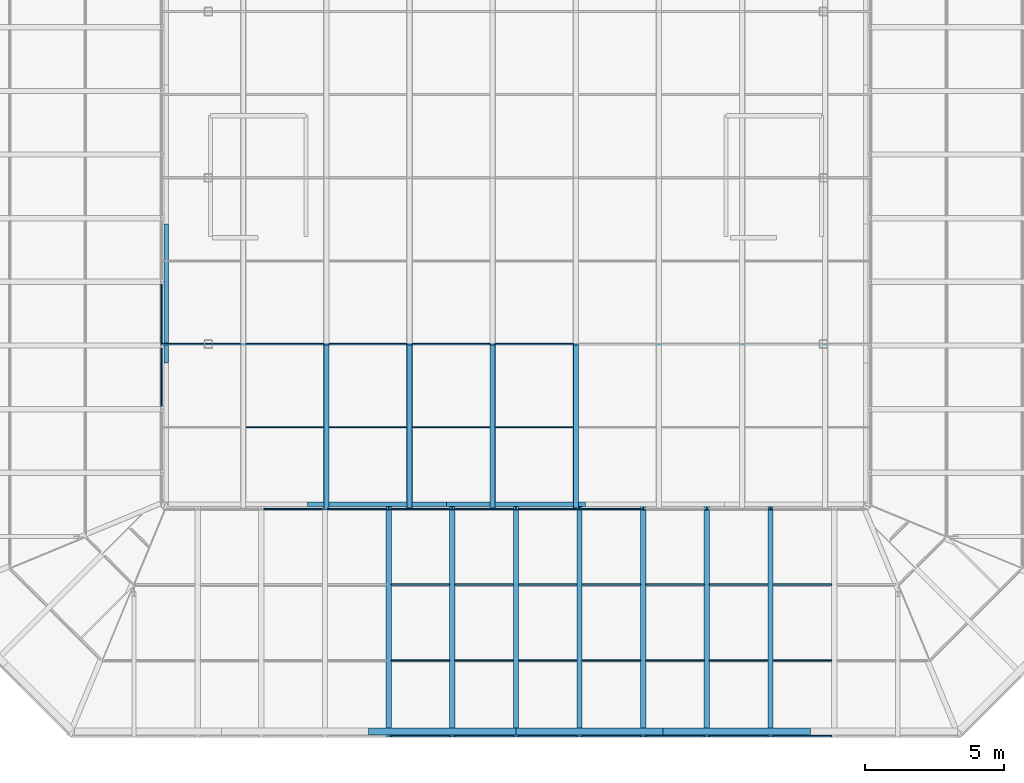
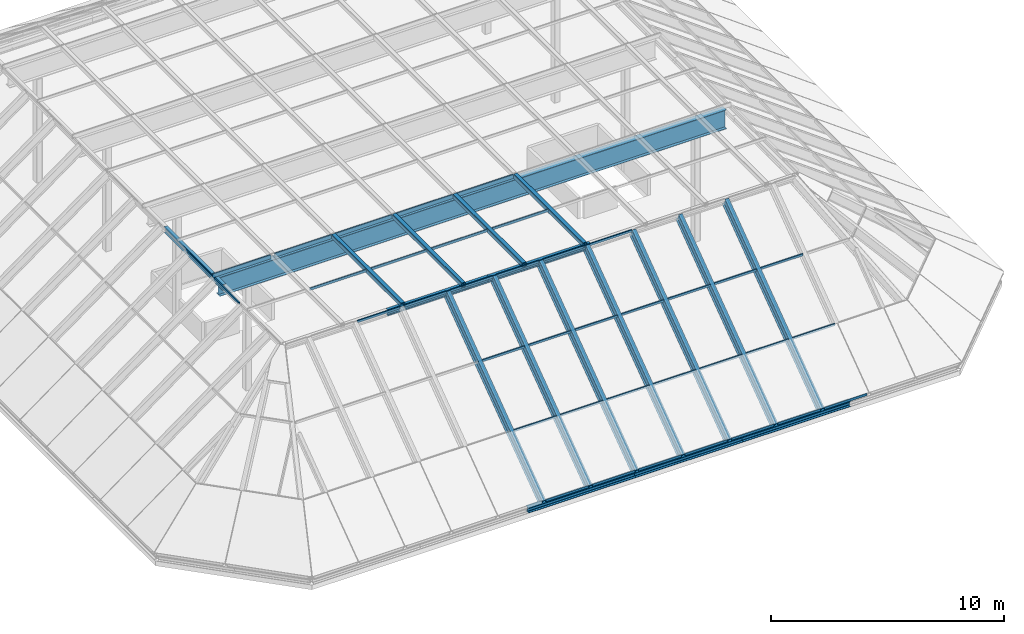
# One storey, part 3 of 15: 60 members, 3 elements without a shape of their own.
"""IFC4 building model written with IfcOpenShell, lengths in metres."""

from ifc_helpers import new_model, si_unit, direction, frame, origin, origin_2d, place, context, subcontext, project, spatial, rectangle, hollow_rectangle, i_section, extrude, material, constituent, constituent_set, material_profile, profile_set, type_object, element, aggregate, save


model = new_model("IFC4")

# Units and contexts
model_context = context("Model", 3, precision=1e-05, world=origin(), true_north=direction((0.0, 1.0)))
body_context = subcontext(model_context, "Body", "Model", "MODEL_VIEW")
ifc_project = project(units=[si_unit("LENGTHUNIT", "METRE"), si_unit("AREAUNIT", "SQUARE_METRE"), si_unit("VOLUMEUNIT", "CUBIC_METRE"), si_unit("PLANEANGLEUNIT", "RADIAN"), si_unit("MASSUNIT", "GRAM", prefix="KILO")], contexts=[model_context])

# Site, building, storey
site_placement = place(None, origin())
site = spatial("IfcSite", under=ifc_project, at=site_placement, CompositionType="ELEMENT")
building_placement = place(site_placement, origin())
building = spatial("IfcBuilding", under=site, at=building_placement, Name="Quoin Convention Tower", CompositionType="ELEMENT")
storey_placement = place(building_placement, frame((0.0, 0.0, 273.699951171875)))
storey = spatial("IfcBuildingStorey", under=building, at=storey_placement, Name="Roof", CompositionType="ELEMENT", Elevation=273.699951171875)

# Member
ifc_material_1 = material(Name="Steel Grade 300", Category="steel")
ifc_material_profile_1 = material_profile(ifc_material_1, i_section(OverallWidth=0.300048828125, OverallDepth=1.0, WebThickness=0.01611328125, FlangeThickness=0.02001953125, at=origin_2d()), Name="1000WB215")
ifc_profile_set_1 = profile_set([ifc_material_profile_1], Name="Steel Grade 300")
member_type_1 = type_object("IfcMemberType", Name="1000WB215 CAP GIRDER", PredefinedType="STRINGER", material=ifc_profile_set_1)
member_1_placement = place(storey_placement, frame((43.7099609375, 53.909912109375, 5.8955078125), z_axis=(1.0, 0.0, 0.0), x_axis=(0.0, 1.0, 0.0)))
element("IfcMember", 1, at=member_1_placement, inside=storey, type_object=member_type_1, Name="LANTERN CAP GIRDER", PredefinedType="STRINGER", context=body_context, shape_type="SweptSolid", body=[
    extrude(i_section(OverallWidth=0.300048828125, OverallDepth=1.0, WebThickness=0.01611328125, FlangeThickness=0.02001953125, at=origin_2d()), origin(), (0.0, 0.0, 1.0), 25.080078125),
])

# Curtain wall, members
ifc_material_2 = material(Name="Aluminium", Category="aluminium")
ifc_constituent_1 = constituent(ifc_material_2, Name="Frame")
ifc_material_3 = material(Name="Insulated glass", Category="glass")
ifc_constituent_2 = constituent(ifc_material_3, Name="Glazing")
ifc_constituent_set = constituent_set(constituents=[ifc_constituent_1, ifc_constituent_2], Name="Aluminium")
curtain_wall_type = type_object("IfcCurtainWallType", Name="Lantern roof system", PredefinedType="NOTDEFINED", material=ifc_constituent_set)
curtain_wall_1_placement = place(storey_placement, origin())
curtain_wall_1 = element("IfcCurtainWall", 2, at=curtain_wall_1_placement, inside=storey, type_object=curtain_wall_type, Name="crn-LNR-CAP", PredefinedType="NOTDEFINED")
ifc_material_4 = material(Name="Steel C450L0", Category="steel")
ifc_material_profile_2 = material_profile(ifc_material_4, hollow_rectangle(XDim=0.199951171875, YDim=0.199951171875, WallThickness=0.010009765625, InnerFilletRadius=0.014892578125, OuterFilletRadius=0.02490234375, at=origin_2d()), Name="200x200x10.0SHS")
ifc_profile_set_2 = profile_set([ifc_material_profile_2], Name="Steel C450L0")
member_type_2 = type_object("IfcMemberType", Name="200x200x10.0SHS LANTERN CAP RAIL", PredefinedType="MULLION", material=ifc_profile_set_2)
member_2_placement = place(storey_placement, frame((49.409912109375, 47.926513671875, 6.495361328125), z_axis=(0.0, 1.0, 0.0), x_axis=(-1.0, 0.0, 0.0)))
member_2 = element("IfcMember", 3, at=member_2_placement, type_object=member_type_2, Name="CW6 cap rail", PredefinedType="MULLION", context=body_context, shape_type="SweptSolid", body=[
    extrude(hollow_rectangle(XDim=0.199951171875, YDim=0.199951171875, WallThickness=0.010009765625, InnerFilletRadius=0.014892578125, OuterFilletRadius=0.02490234375, at=origin_2d()), origin(), (0.0, 0.0, 1.0), 5.953369140625),
])
member_3_placement = place(storey_placement, frame((52.409912109375, 47.926513671875, 6.495361328125), z_axis=(0.0, 1.0, 0.0), x_axis=(-1.0, 0.0, 0.0)))
member_3 = element("IfcMember", 4, at=member_3_placement, type_object=member_type_2, Name="CW6 cap rail", PredefinedType="MULLION", context=body_context, shape_type="SweptSolid", body=[
    extrude(hollow_rectangle(XDim=0.199951171875, YDim=0.199951171875, WallThickness=0.010009765625, InnerFilletRadius=0.014892578125, OuterFilletRadius=0.02490234375, at=origin_2d()), origin(), (0.0, 0.0, 1.0), 5.953369140625),
])
member_4_placement = place(storey_placement, frame((55.409912109375, 47.926513671875, 6.495361328125), z_axis=(0.0, 1.0, 0.0), x_axis=(-1.0, 0.0, 0.0)))
member_4 = element("IfcMember", 5, at=member_4_placement, type_object=member_type_2, Name="CW6 cap rail", PredefinedType="MULLION", context=body_context, shape_type="SweptSolid", body=[
    extrude(hollow_rectangle(XDim=0.199951171875, YDim=0.199951171875, WallThickness=0.010009765625, InnerFilletRadius=0.014892578125, OuterFilletRadius=0.02490234375, at=origin_2d()), origin(), (0.0, 0.0, 1.0), 5.953369140625),
])
member_5_placement = place(storey_placement, frame((58.409912109375, 47.926513671875, 6.495361328125), z_axis=(0.0, 1.0, 0.0), x_axis=(-1.0, 0.0, 0.0)))
member_5 = element("IfcMember", 6, at=member_5_placement, type_object=member_type_2, Name="CW6 cap rail", PredefinedType="MULLION", context=body_context, shape_type="SweptSolid", body=[
    extrude(hollow_rectangle(XDim=0.199951171875, YDim=0.199951171875, WallThickness=0.010009765625, InnerFilletRadius=0.014892578125, OuterFilletRadius=0.02490234375, at=origin_2d()), origin(), (0.0, 0.0, 1.0), 5.953369140625),
])

# Members
ifc_material_profile_3 = material_profile(ifc_material_1, i_section(OverallWidth=0.256103515625, OverallDepth=0.260009765625, WebThickness=0.010498046875, FlangeThickness=0.017333984375, FilletRadius=0.013916015625, at=origin_2d()), Name="250UC89.5")
ifc_profile_set_3 = profile_set([ifc_material_profile_3], Name="Steel Grade 300")
member_type_3 = type_object("IfcMemberType", Name="250UC89.5 EAVES RING", PredefinedType="CHORD", material=ifc_profile_set_3)
for number, where, z_axis, x_axis, name in (
    (7, (50.938720703125, 39.927978515625, 0.130126953125), (1.0, 0.0, 0.0), (0.0, 1.0, 0.0), "LANTERN EAVES RING"),
    (8, (56.25, 39.927978515625, 0.130126953125), (1.0, 0.0, 0.0), (0.0, 1.0, 0.0), "LANTERN EAVES RING"),
    (9, (61.561279296875, 39.927978515625, 0.130126953125), (1.0, 0.0, 0.0), (0.0, 1.0, 0.0), "LANTERN EAVES RING"),
):
    element("IfcMember", number, at=place(storey_placement, frame(where, z_axis=z_axis, x_axis=x_axis)), inside=storey, type_object=member_type_3, Name=name, PredefinedType="CHORD", context=body_context, shape_type="SweptSolid", body=[
        extrude(i_section(OverallWidth=0.256103515625, OverallDepth=0.260009765625, WebThickness=0.010498046875, FlangeThickness=0.017333984375, FilletRadius=0.013916015625, at=origin_2d()), origin(), (0.0, 0.0, 1.0), 5.311279296875),
    ])
ifc_material_profile_4 = material_profile(ifc_material_1, i_section(OverallWidth=0.166015625, OverallDepth=0.306884765625, WebThickness=0.006591796875, FlangeThickness=0.01171875, FilletRadius=0.011474609375, at=origin_2d()), Name="310UB46.2")
ifc_profile_set_4 = profile_set([ifc_material_profile_4], Name="Steel Grade 300")
member_type_4 = type_object("IfcMemberType", Name="310UB46.2 COMPRESSION RING", PredefinedType="CHORD", material=ifc_profile_set_4)
for number, where, z_axis, x_axis, name in (
    (10, (43.626953125, 58.241943359375, 6.241943359375), (0.0, -1.0, 0.0), (1.0, 0.0, 0.0), "LANTERN COMPRESSION RING"),
    (11, (48.72607421875, 48.126953125, 6.241943359375), (1.0, 0.0, 0.0), (0.0, 1.0, 0.0), "LANTERN COMPRESSION RING"),
):
    element("IfcMember", number, at=place(storey_placement, frame(where, z_axis=z_axis, x_axis=x_axis)), inside=storey, type_object=member_type_4, Name=name, PredefinedType="CHORD", context=body_context, shape_type="SweptSolid", body=[
        extrude(i_section(OverallWidth=0.166015625, OverallDepth=0.306884765625, WebThickness=0.006591796875, FlangeThickness=0.01171875, FilletRadius=0.011474609375, at=origin_2d()), origin(), (0.0, 0.0, 1.0), 5.015869140625),
    ])
member_6_placement = place(storey_placement, frame((53.741943359375, 48.126953125, 6.241943359375), z_axis=(1.0, 0.0, 0.0), x_axis=(0.0, 1.0, 0.0)))
element("IfcMember", 12, at=member_6_placement, inside=storey, type_object=member_type_4, Name="LANTERN COMPRESSION RING", PredefinedType="CHORD", context=body_context, shape_type="SweptSolid", body=[
    extrude(i_section(OverallWidth=0.166015625, OverallDepth=0.306884765625, WebThickness=0.006591796875, FlangeThickness=0.01171875, FilletRadius=0.011474609375, at=origin_2d()), origin(), (0.0, 0.0, 1.0), 5.01611328125),
])

# Curtain wall, members
curtain_wall_2_placement = place(storey_placement, origin())
curtain_wall_2 = element("IfcCurtainWall", 13, at=curtain_wall_2_placement, inside=storey, type_object=curtain_wall_type, Name="crn-LNR-F40173_39710", PredefinedType="NOTDEFINED")
ifc_material_profile_5 = material_profile(ifc_material_1, i_section(OverallWidth=0.18994140625, OverallDepth=0.4541015625, WebThickness=0.008544921875, FlangeThickness=0.0126953125, FilletRadius=0.011474609375, at=origin_2d()), Name="460UB67.1")
ifc_profile_set_5 = profile_set([ifc_material_profile_5], Name="Steel Grade 300")
member_type_5 = type_object("IfcMemberType", Name="460UB67.1 LANTERN RAFTER", PredefinedType="MULLION", material=ifc_profile_set_5)
member_7_placement = place(storey_placement, frame((51.656494140625, 39.860595703125, 0.26953125), z_axis=(0.0, 0.807028649932, 0.590512284537), x_axis=(-1.0, 0.0, 0.0)))
member_7 = element("IfcMember", 14, at=member_7_placement, type_object=member_type_5, Name="CW6 steel rafter", PredefinedType="MULLION", context=body_context, shape_type="SweptSolid", body=[
    extrude(i_section(OverallWidth=0.18994140625, OverallDepth=0.4541015625, WebThickness=0.008544921875, FlangeThickness=0.0126953125, FilletRadius=0.011474609375, at=origin_2d()), origin(), (0.0, 0.0, 1.0), 10.16064453125),
])
member_8_placement = place(storey_placement, frame((53.953369140625, 39.860595703125, 0.26953125), z_axis=(0.0, 0.807028649932, 0.590512284537), x_axis=(-1.0, 0.0, 0.0)))
member_8 = element("IfcMember", 15, at=member_8_placement, type_object=member_type_5, Name="CW6 steel rafter", PredefinedType="MULLION", context=body_context, shape_type="SweptSolid", body=[
    extrude(i_section(OverallWidth=0.18994140625, OverallDepth=0.4541015625, WebThickness=0.008544921875, FlangeThickness=0.0126953125, FilletRadius=0.011474609375, at=origin_2d()), origin(), (0.0, 0.0, 1.0), 10.16064453125),
])
member_9_placement = place(storey_placement, frame((56.25, 39.860595703125, 0.26953125), z_axis=(0.0, 0.807028649932, 0.590512284537), x_axis=(-1.0, 0.0, 0.0)))
member_9 = element("IfcMember", 16, at=member_9_placement, type_object=member_type_5, Name="CW6 steel rafter", PredefinedType="MULLION", context=body_context, shape_type="SweptSolid", body=[
    extrude(i_section(OverallWidth=0.18994140625, OverallDepth=0.4541015625, WebThickness=0.008544921875, FlangeThickness=0.0126953125, FilletRadius=0.011474609375, at=origin_2d()), origin(), (0.0, 0.0, 1.0), 10.16064453125),
])
member_10_placement = place(storey_placement, frame((58.546630859375, 39.860595703125, 0.26953125), z_axis=(0.0, 0.807028649932, 0.590512284537), x_axis=(-1.0, 0.0, 0.0)))
member_10 = element("IfcMember", 17, at=member_10_placement, type_object=member_type_5, Name="CW6 steel rafter", PredefinedType="MULLION", context=body_context, shape_type="SweptSolid", body=[
    extrude(i_section(OverallWidth=0.18994140625, OverallDepth=0.4541015625, WebThickness=0.008544921875, FlangeThickness=0.0126953125, FilletRadius=0.011474609375, at=origin_2d()), origin(), (0.0, 0.0, 1.0), 10.16064453125),
])
member_11_placement = place(storey_placement, frame((60.843505859375, 39.860595703125, 0.26953125), z_axis=(0.0, 0.807028649932, 0.590512284537), x_axis=(-1.0, 0.0, 0.0)))
member_11 = element("IfcMember", 18, at=member_11_placement, type_object=member_type_5, Name="CW6 steel rafter", PredefinedType="MULLION", context=body_context, shape_type="SweptSolid", body=[
    extrude(i_section(OverallWidth=0.18994140625, OverallDepth=0.4541015625, WebThickness=0.008544921875, FlangeThickness=0.0126953125, FilletRadius=0.011474609375, at=origin_2d()), origin(), (0.0, 0.0, 1.0), 10.16064453125),
])
member_12_placement = place(storey_placement, frame((63.14013671875, 39.860595703125, 0.26953125), z_axis=(0.0, 0.807028649932, 0.590512284537), x_axis=(-1.0, 0.0, 0.0)))
member_12 = element("IfcMember", 19, at=member_12_placement, type_object=member_type_5, Name="CW6 steel rafter", PredefinedType="MULLION", context=body_context, shape_type="SweptSolid", body=[
    extrude(i_section(OverallWidth=0.18994140625, OverallDepth=0.4541015625, WebThickness=0.008544921875, FlangeThickness=0.0126953125, FilletRadius=0.011474609375, at=origin_2d()), origin(), (0.0, 0.0, 1.0), 10.16064453125),
])
member_13_placement = place(storey_placement, frame((65.43701171875, 39.860595703125, 0.26953125), z_axis=(0.0, 0.807028649932, 0.590512284537), x_axis=(-1.0, 0.0, 0.0)))
member_13 = element("IfcMember", 20, at=member_13_placement, type_object=member_type_5, Name="CW6 steel rafter", PredefinedType="MULLION", context=body_context, shape_type="SweptSolid", body=[
    extrude(i_section(OverallWidth=0.18994140625, OverallDepth=0.4541015625, WebThickness=0.008544921875, FlangeThickness=0.0126953125, FilletRadius=0.011474609375, at=origin_2d()), origin(), (0.0, 0.0, 1.0), 10.16064453125),
])

# Member
ifc_material_profile_6 = material_profile(ifc_material_2, rectangle(XDim=0.028076171875, YDim=0.179931640625, at=origin_2d()), Name="Lantern roof cap cover bar 180x28")
ifc_profile_set_6 = profile_set([ifc_material_profile_6], Name="Aluminium")
member_type_6 = type_object("IfcMemberType", Name="Lantern roof cap cover bar 180x28", PredefinedType="USERDEFINED", material=ifc_profile_set_6)
member_14_placement = place(storey_placement, frame((49.409912109375, 47.926513671875, 6.609375), z_axis=(0.0, 1.0, 0.0), x_axis=(0.0, 0.0, 1.0)))
member_14 = element("IfcMember", 21, at=member_14_placement, type_object=member_type_6, Name="CW6 cap cover bar", ObjectType="CAP COVER", PredefinedType="USERDEFINED", context=body_context, shape_type="SweptSolid", body=[
    extrude(rectangle(XDim=0.028076171875, YDim=0.179931640625, at=origin_2d()), origin(), (0.0, 0.0, 1.0), 5.953369140625),
])

member_15_placement = place(storey_placement, frame((52.409912109375, 47.926513671875, 6.609375), z_axis=(0.0, 1.0, 0.0), x_axis=(0.0, 0.0, 1.0)))
member_15 = element("IfcMember", 22, at=member_15_placement, type_object=member_type_6, Name="CW6 cap cover bar", ObjectType="CAP COVER", PredefinedType="USERDEFINED", context=body_context, shape_type="SweptSolid", body=[
    extrude(rectangle(XDim=0.028076171875, YDim=0.179931640625, at=origin_2d()), origin(), (0.0, 0.0, 1.0), 5.953369140625),
])

member_16_placement = place(storey_placement, frame((55.409912109375, 47.926513671875, 6.609375), z_axis=(0.0, 1.0, 0.0), x_axis=(0.0, 0.0, 1.0)))
member_16 = element("IfcMember", 23, at=member_16_placement, type_object=member_type_6, Name="CW6 cap cover bar", ObjectType="CAP COVER", PredefinedType="USERDEFINED", context=body_context, shape_type="SweptSolid", body=[
    extrude(rectangle(XDim=0.028076171875, YDim=0.179931640625, at=origin_2d()), origin(), (0.0, 0.0, 1.0), 5.953369140625),
])

member_17_placement = place(storey_placement, frame((58.409912109375, 47.926513671875, 6.609375), z_axis=(0.0, 1.0, 0.0), x_axis=(0.0, 0.0, 1.0)))
member_17 = element("IfcMember", 24, at=member_17_placement, type_object=member_type_6, Name="CW6 cap cover bar", ObjectType="CAP COVER", PredefinedType="USERDEFINED", context=body_context, shape_type="SweptSolid", body=[
    extrude(rectangle(XDim=0.028076171875, YDim=0.179931640625, at=origin_2d()), origin(), (0.0, 0.0, 1.0), 5.953369140625),
])

ifc_material_profile_7 = material_profile(ifc_material_2, rectangle(XDim=0.199951171875, YDim=0.06005859375, at=origin_2d()), Name="Lantern roof mullion 60x200")
ifc_profile_set_7 = profile_set([ifc_material_profile_7], Name="Aluminium")
member_type_7 = type_object("IfcMemberType", Name="Lantern roof mullion 60x200", PredefinedType="MULLION", material=ifc_profile_set_7)
member_18_placement = place(storey_placement, frame((43.426513671875, 53.909912109375, 6.495361328125), z_axis=(1.0, 0.0, 0.0), x_axis=(0.0, 0.0, 1.0)))
member_18 = element("IfcMember", 25, at=member_18_placement, type_object=member_type_7, Name="CW6 cap beam", PredefinedType="MULLION", context=body_context, shape_type="SweptSolid", body=[
    extrude(rectangle(XDim=0.199951171875, YDim=0.06005859375, at=origin_2d()), origin(), (0.0, 0.0, 1.0), 2.883544921875),
])

member_19_placement = place(storey_placement, frame((46.510009765625, 53.909912109375, 6.495361328125), z_axis=(1.0, 0.0, 0.0), x_axis=(0.0, 0.0, 1.0)))
member_19 = element("IfcMember", 26, at=member_19_placement, type_object=member_type_7, Name="CW6 cap beam", PredefinedType="MULLION", context=body_context, shape_type="SweptSolid", body=[
    extrude(rectangle(XDim=0.199951171875, YDim=0.06005859375, at=origin_2d()), origin(), (0.0, 0.0, 1.0), 2.800048828125),
])

member_20_placement = place(storey_placement, frame((49.510009765625, 53.909912109375, 6.495361328125), z_axis=(1.0, 0.0, 0.0), x_axis=(0.0, 0.0, 1.0)))
member_20 = element("IfcMember", 27, at=member_20_placement, type_object=member_type_7, Name="CW6 cap beam", PredefinedType="MULLION", context=body_context, shape_type="SweptSolid", body=[
    extrude(rectangle(XDim=0.199951171875, YDim=0.06005859375, at=origin_2d()), origin(), (0.0, 0.0, 1.0), 2.800048828125),
])

member_21_placement = place(storey_placement, frame((52.510009765625, 53.909912109375, 6.495361328125), z_axis=(1.0, 0.0, 0.0), x_axis=(0.0, 0.0, 1.0)))
member_21 = element("IfcMember", 28, at=member_21_placement, type_object=member_type_7, Name="CW6 cap beam", PredefinedType="MULLION", context=body_context, shape_type="SweptSolid", body=[
    extrude(rectangle(XDim=0.199951171875, YDim=0.06005859375, at=origin_2d()), origin(), (0.0, 0.0, 1.0), 2.800048828125),
])

member_22_placement = place(storey_placement, frame((55.510009765625, 53.909912109375, 6.495361328125), z_axis=(1.0, 0.0, 0.0), x_axis=(0.0, 0.0, 1.0)))
member_22 = element("IfcMember", 29, at=member_22_placement, type_object=member_type_7, Name="CW6 cap beam", PredefinedType="MULLION", context=body_context, shape_type="SweptSolid", body=[
    extrude(rectangle(XDim=0.199951171875, YDim=0.06005859375, at=origin_2d()), origin(), (0.0, 0.0, 1.0), 2.800048828125),
])

# Curtain wall, members
curtain_wall_3_placement = place(storey_placement, origin())
curtain_wall_3 = element("IfcCurtainWall", 30, at=curtain_wall_3_placement, inside=storey, type_object=curtain_wall_type, Name="crn-LNR-F35210_76827", PredefinedType="NOTDEFINED")
ifc_material_profile_8 = material_profile(ifc_material_2, rectangle(XDim=0.1201171875, YDim=0.050048828125, at=origin_2d()), Name="Lantern roof transom 50x120")
ifc_profile_set_8 = profile_set([ifc_material_profile_8], Name="Aluminium")
member_type_8 = type_object("IfcMemberType", Name="Lantern roof transom 50x120", PredefinedType="USERDEFINED", material=ifc_profile_set_8)
member_23_placement = place(storey_placement, frame((43.4619140625, 56.0615234375, 6.404541015625), z_axis=(0.0, -1.0, 0.0), x_axis=(0.0, 0.0, 1.0)))
member_23 = element("IfcMember", 31, at=member_23_placement, type_object=member_type_8, Name="CW6 transom", ObjectType="TRANSOM", PredefinedType="USERDEFINED", context=body_context, shape_type="SweptSolid", body=[
    extrude(rectangle(XDim=0.1201171875, YDim=0.050048828125, at=origin_2d()), origin(), (0.0, 0.0, 1.0), 2.106689453125),
])
member_24_placement = place(storey_placement, frame((43.4619140625, 53.764892578125, 6.404541015625), z_axis=(0.0, -1.0, 0.0), x_axis=(0.0, 0.0, 1.0)))
member_24 = element("IfcMember", 32, at=member_24_placement, type_object=member_type_8, Name="CW6 transom", ObjectType="TRANSOM", PredefinedType="USERDEFINED", context=body_context, shape_type="SweptSolid", body=[
    extrude(rectangle(XDim=0.1201171875, YDim=0.050048828125, at=origin_2d()), origin(), (0.0, 0.0, 1.0), 2.10693359375),
])
aggregate(curtain_wall_3, [member_23, member_24])

# Member
member_25_placement = place(storey_placement, frame((51.75146484375, 39.761962890625, 0.404541015625), z_axis=(1.0, 0.0, 0.0), x_axis=(0.0, 0.0, 1.0)))
member_25 = element("IfcMember", 33, at=member_25_placement, type_object=member_type_8, Name="CW6 transom", ObjectType="TRANSOM", PredefinedType="USERDEFINED", context=body_context, shape_type="SweptSolid", body=[
    extrude(rectangle(XDim=0.1201171875, YDim=0.050048828125, at=origin_2d()), origin(), (0.0, 0.0, 1.0), 2.10693359375),
])

member_26_placement = place(storey_placement, frame((54.04833984375, 39.761962890625, 0.404541015625), z_axis=(1.0, 0.0, 0.0), x_axis=(0.0, 0.0, 1.0)))
member_26 = element("IfcMember", 34, at=member_26_placement, type_object=member_type_8, Name="CW6 transom", ObjectType="TRANSOM", PredefinedType="USERDEFINED", context=body_context, shape_type="SweptSolid", body=[
    extrude(rectangle(XDim=0.1201171875, YDim=0.050048828125, at=origin_2d()), origin(), (0.0, 0.0, 1.0), 2.106689453125),
])

member_27_placement = place(storey_placement, frame((56.344970703125, 39.761962890625, 0.404541015625), z_axis=(1.0, 0.0, 0.0), x_axis=(0.0, 0.0, 1.0)))
member_27 = element("IfcMember", 35, at=member_27_placement, type_object=member_type_8, Name="CW6 transom", ObjectType="TRANSOM", PredefinedType="USERDEFINED", context=body_context, shape_type="SweptSolid", body=[
    extrude(rectangle(XDim=0.1201171875, YDim=0.050048828125, at=origin_2d()), origin(), (0.0, 0.0, 1.0), 2.106689453125),
])

member_28_placement = place(storey_placement, frame((58.6416015625, 39.761962890625, 0.404541015625), z_axis=(1.0, 0.0, 0.0), x_axis=(0.0, 0.0, 1.0)))
member_28 = element("IfcMember", 36, at=member_28_placement, type_object=member_type_8, Name="CW6 transom", ObjectType="TRANSOM", PredefinedType="USERDEFINED", context=body_context, shape_type="SweptSolid", body=[
    extrude(rectangle(XDim=0.1201171875, YDim=0.050048828125, at=origin_2d()), origin(), (0.0, 0.0, 1.0), 2.10693359375),
])

member_29_placement = place(storey_placement, frame((60.9384765625, 39.761962890625, 0.404541015625), z_axis=(1.0, 0.0, 0.0), x_axis=(0.0, 0.0, 1.0)))
member_29 = element("IfcMember", 37, at=member_29_placement, type_object=member_type_8, Name="CW6 transom", ObjectType="TRANSOM", PredefinedType="USERDEFINED", context=body_context, shape_type="SweptSolid", body=[
    extrude(rectangle(XDim=0.1201171875, YDim=0.050048828125, at=origin_2d()), origin(), (0.0, 0.0, 1.0), 2.106689453125),
])

member_30_placement = place(storey_placement, frame((63.235107421875, 39.761962890625, 0.404541015625), z_axis=(1.0, 0.0, 0.0), x_axis=(0.0, 0.0, 1.0)))
member_30 = element("IfcMember", 38, at=member_30_placement, type_object=member_type_8, Name="CW6 transom", ObjectType="TRANSOM", PredefinedType="USERDEFINED", context=body_context, shape_type="SweptSolid", body=[
    extrude(rectangle(XDim=0.1201171875, YDim=0.050048828125, at=origin_2d()), origin(), (0.0, 0.0, 1.0), 2.10693359375),
])

member_31_placement = place(storey_placement, frame((65.531982421875, 39.761962890625, 0.404541015625), z_axis=(1.0, 0.0, 0.0), x_axis=(0.0, 0.0, 1.0)))
member_31 = element("IfcMember", 39, at=member_31_placement, type_object=member_type_8, Name="CW6 transom", ObjectType="TRANSOM", PredefinedType="USERDEFINED", context=body_context, shape_type="SweptSolid", body=[
    extrude(rectangle(XDim=0.1201171875, YDim=0.050048828125, at=origin_2d()), origin(), (0.0, 0.0, 1.0), 2.106689453125),
])

member_32_placement = place(storey_placement, frame((51.75146484375, 42.495361328125, 2.404541015625), z_axis=(1.0, 0.0, 0.0), x_axis=(0.0, 0.0, 1.0)))
member_32 = element("IfcMember", 40, at=member_32_placement, type_object=member_type_8, Name="CW6 transom", ObjectType="TRANSOM", PredefinedType="USERDEFINED", context=body_context, shape_type="SweptSolid", body=[
    extrude(rectangle(XDim=0.1201171875, YDim=0.050048828125, at=origin_2d()), origin(), (0.0, 0.0, 1.0), 2.10693359375),
])

member_33_placement = place(storey_placement, frame((54.04833984375, 42.495361328125, 2.404541015625), z_axis=(1.0, 0.0, 0.0), x_axis=(0.0, 0.0, 1.0)))
member_33 = element("IfcMember", 41, at=member_33_placement, type_object=member_type_8, Name="CW6 transom", ObjectType="TRANSOM", PredefinedType="USERDEFINED", context=body_context, shape_type="SweptSolid", body=[
    extrude(rectangle(XDim=0.1201171875, YDim=0.050048828125, at=origin_2d()), origin(), (0.0, 0.0, 1.0), 2.106689453125),
])

member_34_placement = place(storey_placement, frame((56.344970703125, 42.495361328125, 2.404541015625), z_axis=(1.0, 0.0, 0.0), x_axis=(0.0, 0.0, 1.0)))
member_34 = element("IfcMember", 42, at=member_34_placement, type_object=member_type_8, Name="CW6 transom", ObjectType="TRANSOM", PredefinedType="USERDEFINED", context=body_context, shape_type="SweptSolid", body=[
    extrude(rectangle(XDim=0.1201171875, YDim=0.050048828125, at=origin_2d()), origin(), (0.0, 0.0, 1.0), 2.106689453125),
])

member_35_placement = place(storey_placement, frame((58.6416015625, 42.495361328125, 2.404541015625), z_axis=(1.0, 0.0, 0.0), x_axis=(0.0, 0.0, 1.0)))
member_35 = element("IfcMember", 43, at=member_35_placement, type_object=member_type_8, Name="CW6 transom", ObjectType="TRANSOM", PredefinedType="USERDEFINED", context=body_context, shape_type="SweptSolid", body=[
    extrude(rectangle(XDim=0.1201171875, YDim=0.050048828125, at=origin_2d()), origin(), (0.0, 0.0, 1.0), 2.10693359375),
])

member_36_placement = place(storey_placement, frame((60.9384765625, 42.495361328125, 2.404541015625), z_axis=(1.0, 0.0, 0.0), x_axis=(0.0, 0.0, 1.0)))
member_36 = element("IfcMember", 44, at=member_36_placement, type_object=member_type_8, Name="CW6 transom", ObjectType="TRANSOM", PredefinedType="USERDEFINED", context=body_context, shape_type="SweptSolid", body=[
    extrude(rectangle(XDim=0.1201171875, YDim=0.050048828125, at=origin_2d()), origin(), (0.0, 0.0, 1.0), 2.106689453125),
])

member_37_placement = place(storey_placement, frame((63.235107421875, 42.495361328125, 2.404541015625), z_axis=(1.0, 0.0, 0.0), x_axis=(0.0, 0.0, 1.0)))
member_37 = element("IfcMember", 45, at=member_37_placement, type_object=member_type_8, Name="CW6 transom", ObjectType="TRANSOM", PredefinedType="USERDEFINED", context=body_context, shape_type="SweptSolid", body=[
    extrude(rectangle(XDim=0.1201171875, YDim=0.050048828125, at=origin_2d()), origin(), (0.0, 0.0, 1.0), 2.10693359375),
])

member_38_placement = place(storey_placement, frame((65.531982421875, 42.495361328125, 2.404541015625), z_axis=(1.0, 0.0, 0.0), x_axis=(0.0, 0.0, 1.0)))
member_38 = element("IfcMember", 46, at=member_38_placement, type_object=member_type_8, Name="CW6 transom", ObjectType="TRANSOM", PredefinedType="USERDEFINED", context=body_context, shape_type="SweptSolid", body=[
    extrude(rectangle(XDim=0.1201171875, YDim=0.050048828125, at=origin_2d()), origin(), (0.0, 0.0, 1.0), 2.106689453125),
])

member_39_placement = place(storey_placement, frame((51.75146484375, 45.228515625, 4.404541015625), z_axis=(1.0, 0.0, 0.0), x_axis=(0.0, 0.0, 1.0)))
member_39 = element("IfcMember", 47, at=member_39_placement, type_object=member_type_8, Name="CW6 transom", ObjectType="TRANSOM", PredefinedType="USERDEFINED", context=body_context, shape_type="SweptSolid", body=[
    extrude(rectangle(XDim=0.1201171875, YDim=0.050048828125, at=origin_2d()), origin(), (0.0, 0.0, 1.0), 2.10693359375),
])

member_40_placement = place(storey_placement, frame((54.04833984375, 45.228515625, 4.404541015625), z_axis=(1.0, 0.0, 0.0), x_axis=(0.0, 0.0, 1.0)))
member_40 = element("IfcMember", 48, at=member_40_placement, type_object=member_type_8, Name="CW6 transom", ObjectType="TRANSOM", PredefinedType="USERDEFINED", context=body_context, shape_type="SweptSolid", body=[
    extrude(rectangle(XDim=0.1201171875, YDim=0.050048828125, at=origin_2d()), origin(), (0.0, 0.0, 1.0), 2.106689453125),
])

member_41_placement = place(storey_placement, frame((56.344970703125, 45.228515625, 4.404541015625), z_axis=(1.0, 0.0, 0.0), x_axis=(0.0, 0.0, 1.0)))
member_41 = element("IfcMember", 49, at=member_41_placement, type_object=member_type_8, Name="CW6 transom", ObjectType="TRANSOM", PredefinedType="USERDEFINED", context=body_context, shape_type="SweptSolid", body=[
    extrude(rectangle(XDim=0.1201171875, YDim=0.050048828125, at=origin_2d()), origin(), (0.0, 0.0, 1.0), 2.106689453125),
])

member_42_placement = place(storey_placement, frame((58.6416015625, 45.228515625, 4.404541015625), z_axis=(1.0, 0.0, 0.0), x_axis=(0.0, 0.0, 1.0)))
member_42 = element("IfcMember", 50, at=member_42_placement, type_object=member_type_8, Name="CW6 transom", ObjectType="TRANSOM", PredefinedType="USERDEFINED", context=body_context, shape_type="SweptSolid", body=[
    extrude(rectangle(XDim=0.1201171875, YDim=0.050048828125, at=origin_2d()), origin(), (0.0, 0.0, 1.0), 2.10693359375),
])

member_43_placement = place(storey_placement, frame((60.9384765625, 45.228515625, 4.404541015625), z_axis=(1.0, 0.0, 0.0), x_axis=(0.0, 0.0, 1.0)))
member_43 = element("IfcMember", 51, at=member_43_placement, type_object=member_type_8, Name="CW6 transom", ObjectType="TRANSOM", PredefinedType="USERDEFINED", context=body_context, shape_type="SweptSolid", body=[
    extrude(rectangle(XDim=0.1201171875, YDim=0.050048828125, at=origin_2d()), origin(), (0.0, 0.0, 1.0), 2.106689453125),
])

member_44_placement = place(storey_placement, frame((63.235107421875, 45.228515625, 4.404541015625), z_axis=(1.0, 0.0, 0.0), x_axis=(0.0, 0.0, 1.0)))
member_44 = element("IfcMember", 52, at=member_44_placement, type_object=member_type_8, Name="CW6 transom", ObjectType="TRANSOM", PredefinedType="USERDEFINED", context=body_context, shape_type="SweptSolid", body=[
    extrude(rectangle(XDim=0.1201171875, YDim=0.050048828125, at=origin_2d()), origin(), (0.0, 0.0, 1.0), 2.10693359375),
])

member_45_placement = place(storey_placement, frame((65.531982421875, 45.228515625, 4.404541015625), z_axis=(1.0, 0.0, 0.0), x_axis=(0.0, 0.0, 1.0)))
member_45 = element("IfcMember", 53, at=member_45_placement, type_object=member_type_8, Name="CW6 transom", ObjectType="TRANSOM", PredefinedType="USERDEFINED", context=body_context, shape_type="SweptSolid", body=[
    extrude(rectangle(XDim=0.1201171875, YDim=0.050048828125, at=origin_2d()), origin(), (0.0, 0.0, 1.0), 2.106689453125),
])

member_46_placement = place(storey_placement, frame((47.157958984375, 47.9619140625, 6.404541015625), z_axis=(1.0, 0.0, 0.0), x_axis=(0.0, 0.0, 1.0)))
member_46 = element("IfcMember", 54, at=member_46_placement, type_object=member_type_8, Name="CW6 transom", ObjectType="TRANSOM", PredefinedType="USERDEFINED", context=body_context, shape_type="SweptSolid", body=[
    extrude(rectangle(XDim=0.1201171875, YDim=0.050048828125, at=origin_2d()), origin(), (0.0, 0.0, 1.0), 2.10693359375),
])

member_47_placement = place(storey_placement, frame((49.454833984375, 47.9619140625, 6.404541015625), z_axis=(1.0, 0.0, 0.0), x_axis=(0.0, 0.0, 1.0)))
member_47 = element("IfcMember", 55, at=member_47_placement, type_object=member_type_8, Name="CW6 transom", ObjectType="TRANSOM", PredefinedType="USERDEFINED", context=body_context, shape_type="SweptSolid", body=[
    extrude(rectangle(XDim=0.1201171875, YDim=0.050048828125, at=origin_2d()), origin(), (0.0, 0.0, 1.0), 2.106689453125),
])

member_48_placement = place(storey_placement, frame((51.75146484375, 47.9619140625, 6.404541015625), z_axis=(1.0, 0.0, 0.0), x_axis=(0.0, 0.0, 1.0)))
member_48 = element("IfcMember", 56, at=member_48_placement, type_object=member_type_8, Name="CW6 transom", ObjectType="TRANSOM", PredefinedType="USERDEFINED", context=body_context, shape_type="SweptSolid", body=[
    extrude(rectangle(XDim=0.1201171875, YDim=0.050048828125, at=origin_2d()), origin(), (0.0, 0.0, 1.0), 2.10693359375),
])

member_49_placement = place(storey_placement, frame((54.04833984375, 47.9619140625, 6.404541015625), z_axis=(1.0, 0.0, 0.0), x_axis=(0.0, 0.0, 1.0)))
member_49 = element("IfcMember", 57, at=member_49_placement, type_object=member_type_8, Name="CW6 transom", ObjectType="TRANSOM", PredefinedType="USERDEFINED", context=body_context, shape_type="SweptSolid", body=[
    extrude(rectangle(XDim=0.1201171875, YDim=0.050048828125, at=origin_2d()), origin(), (0.0, 0.0, 1.0), 2.106689453125),
])

member_50_placement = place(storey_placement, frame((56.344970703125, 47.9619140625, 6.404541015625), z_axis=(1.0, 0.0, 0.0), x_axis=(0.0, 0.0, 1.0)))
member_50 = element("IfcMember", 58, at=member_50_placement, type_object=member_type_8, Name="CW6 transom", ObjectType="TRANSOM", PredefinedType="USERDEFINED", context=body_context, shape_type="SweptSolid", body=[
    extrude(rectangle(XDim=0.1201171875, YDim=0.050048828125, at=origin_2d()), origin(), (0.0, 0.0, 1.0), 2.106689453125),
])

member_51_placement = place(storey_placement, frame((58.6416015625, 47.9619140625, 6.404541015625), z_axis=(1.0, 0.0, 0.0), x_axis=(0.0, 0.0, 1.0)))
member_51 = element("IfcMember", 59, at=member_51_placement, type_object=member_type_8, Name="CW6 transom", ObjectType="TRANSOM", PredefinedType="USERDEFINED", context=body_context, shape_type="SweptSolid", body=[
    extrude(rectangle(XDim=0.1201171875, YDim=0.050048828125, at=origin_2d()), origin(), (0.0, 0.0, 1.0), 2.10693359375),
])

aggregate(curtain_wall_2, [member_7, member_8, member_9, member_10, member_11, member_12, member_13, member_25, member_26, member_27, member_28, member_29, member_30, member_31, member_32, member_33, member_34, member_35, member_36, member_37, member_38, member_39, member_40, member_41, member_42, member_43, member_44, member_45, member_46, member_47, member_48, member_49, member_50, member_51])

member_52_placement = place(storey_placement, frame((46.510009765625, 50.909912109375, 6.535400390625), z_axis=(1.0, 0.0, 0.0), x_axis=(0.0, 0.0, 1.0)))
member_52 = element("IfcMember", 60, at=member_52_placement, type_object=member_type_8, Name="CW6 cap transom", ObjectType="TRANSOM", PredefinedType="USERDEFINED", context=body_context, shape_type="SweptSolid", body=[
    extrude(rectangle(XDim=0.1201171875, YDim=0.050048828125, at=origin_2d()), origin(), (0.0, 0.0, 1.0), 2.800048828125),
])

member_53_placement = place(storey_placement, frame((49.510009765625, 50.909912109375, 6.535400390625), z_axis=(1.0, 0.0, 0.0), x_axis=(0.0, 0.0, 1.0)))
member_53 = element("IfcMember", 61, at=member_53_placement, type_object=member_type_8, Name="CW6 cap transom", ObjectType="TRANSOM", PredefinedType="USERDEFINED", context=body_context, shape_type="SweptSolid", body=[
    extrude(rectangle(XDim=0.1201171875, YDim=0.050048828125, at=origin_2d()), origin(), (0.0, 0.0, 1.0), 2.800048828125),
])

member_54_placement = place(storey_placement, frame((52.510009765625, 50.909912109375, 6.535400390625), z_axis=(1.0, 0.0, 0.0), x_axis=(0.0, 0.0, 1.0)))
member_54 = element("IfcMember", 62, at=member_54_placement, type_object=member_type_8, Name="CW6 cap transom", ObjectType="TRANSOM", PredefinedType="USERDEFINED", context=body_context, shape_type="SweptSolid", body=[
    extrude(rectangle(XDim=0.1201171875, YDim=0.050048828125, at=origin_2d()), origin(), (0.0, 0.0, 1.0), 2.800048828125),
])

member_55_placement = place(storey_placement, frame((55.510009765625, 50.909912109375, 6.535400390625), z_axis=(1.0, 0.0, 0.0), x_axis=(0.0, 0.0, 1.0)))
member_55 = element("IfcMember", 63, at=member_55_placement, type_object=member_type_8, Name="CW6 cap transom", ObjectType="TRANSOM", PredefinedType="USERDEFINED", context=body_context, shape_type="SweptSolid", body=[
    extrude(rectangle(XDim=0.1201171875, YDim=0.050048828125, at=origin_2d()), origin(), (0.0, 0.0, 1.0), 2.800048828125),
])

aggregate(curtain_wall_1, [member_52, member_53, member_54, member_55, member_18, member_19, member_20, member_21, member_22, member_2, member_3, member_4, member_5, member_14, member_15, member_16, member_17])

save(model, "model.ifc")
